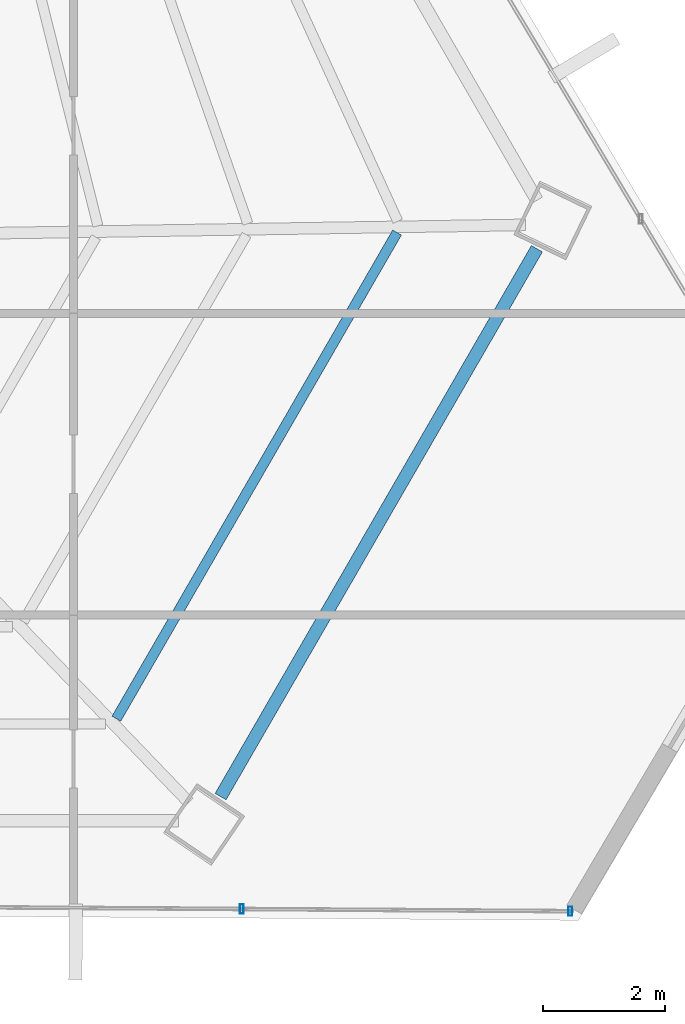
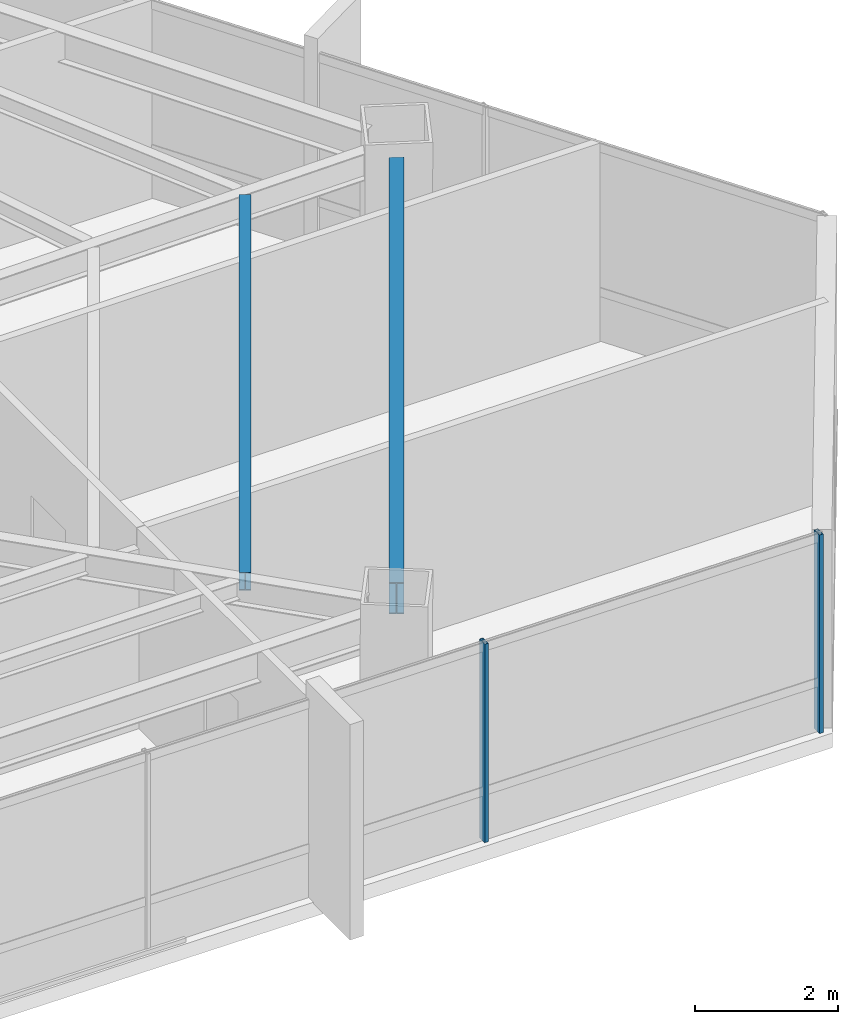
# One storey, part 18 of 40: 2 beams, 2 members, 1 element without a shape of its own.
"""IFC4 building model written with IfcOpenShell, lengths in metres."""

from ifc_helpers import new_model, si_unit, direction, frame, origin, origin_2d, place, context, subcontext, project, spatial, hollow_rectangle, i_section, extrude, source, transform, mapped, material, material_profile, profile_set, type_object, type_shapes, element, aggregate, save


model = new_model("IFC4")

# Units and contexts
model_context = context("Model", 3, precision=1e-05, world=origin(), true_north=direction((0.0, 1.0)))
body_context = subcontext(model_context, "Body", "Model", "MODEL_VIEW")
ifc_project = project(units=[si_unit("LENGTHUNIT", "METRE"), si_unit("AREAUNIT", "SQUARE_METRE"), si_unit("VOLUMEUNIT", "CUBIC_METRE"), si_unit("PLANEANGLEUNIT", "RADIAN"), si_unit("MASSUNIT", "GRAM", prefix="KILO")], contexts=[model_context])

# Site, building, storey
site_placement = place(None, origin())
site = spatial("IfcSite", under=ifc_project, at=site_placement, CompositionType="ELEMENT")
building_placement = place(site_placement, origin())
building = spatial("IfcBuilding", under=site, at=building_placement, Name="Caelisora Broadcast Tower", CompositionType="ELEMENT")
storey_placement = place(building_placement, frame((0.0, 0.0, 176.75)))
storey = spatial("IfcBuildingStorey", under=building, at=storey_placement, Name="L46", CompositionType="ELEMENT", Elevation=176.75)

# Beams
ifc_material_1 = material(Name="Steel Grade 350 (AS/NZS 3679.1)", Category="steel")
ifc_material_profile_1 = material_profile(ifc_material_1, i_section(OverallWidth=0.208984375, OverallDepth=0.532958984375, WebThickness=0.01025390625, FlangeThickness=0.015625, at=origin_2d()), Name="Steel Grade 350 (AS/NZS 3679.1)")
ifc_profile_set_1 = profile_set([ifc_material_profile_1], Name="Steel Grade 350 (AS/NZS 3679.1)")
beam_type_1 = type_object("IfcBeamType", Name="PG05", PredefinedType="BEAM", material=ifc_profile_set_1)
shared_shape_1 = source(origin(), body_context, "Body", "SweptSolid", [
    extrude(i_section(OverallWidth=0.208984375, OverallDepth=0.532958984375, WebThickness=0.01025390625, FlangeThickness=0.015625, at=origin_2d()), origin(), (0.0, 0.0, 1.0), 10.402587890625),
])
type_shapes(beam_type_1, [shared_shape_1])
beam_1_placement = place(storey_placement, frame((54.92041015625, 8.22509765625, 3.133544921875), z_axis=(0.499985878277, 0.866033556811, 0.0), x_axis=(-0.866033556811, 0.499985878277, 0.0)))
element("IfcBeam", 1, at=beam_1_placement, inside=storey, type_object=beam_type_1, Name="L46 beam PG05", PredefinedType="BEAM", context=body_context, shape_type="MappedRepresentation", body=[
    mapped(shared_shape_1, transform((0.0, 0.0, 0.0), scale=1.0)),
])
ifc_material_profile_2 = material_profile(ifc_material_1, i_section(OverallWidth=0.166015625, OverallDepth=0.30712890625, WebThickness=0.006591796875, FlangeThickness=0.01171875, at=origin_2d()), Name="Steel Grade 350 (AS/NZS 3679.1)")
ifc_profile_set_2 = profile_set([ifc_material_profile_2], Name="Steel Grade 350 (AS/NZS 3679.1)")
beam_type_2 = type_object("IfcBeamType", Name="SB03", PredefinedType="JOIST", material=ifc_profile_set_2)
shared_shape_2 = source(origin(), body_context, "Body", "SweptSolid", [
    extrude(i_section(OverallWidth=0.166015625, OverallDepth=0.30712890625, WebThickness=0.006591796875, FlangeThickness=0.01171875, at=origin_2d()), origin(), (0.0, 0.0, 1.0), 9.231201171875),
])
type_shapes(beam_type_2, [shared_shape_2])
beam_2_placement = place(storey_placement, frame((53.206787109375, 9.505615234375, 3.246337890625), z_axis=(0.499993363642, 0.866029235253, 0.0), x_axis=(-0.866029235253, 0.499993363642, 0.0)))
element("IfcBeam", 2, at=beam_2_placement, inside=storey, type_object=beam_type_2, Name="L46 beam SB03", PredefinedType="JOIST", context=body_context, shape_type="MappedRepresentation", body=[
    mapped(shared_shape_2, transform((0.0, 0.0, 0.0), scale=1.0)),
])

# Curtain wall, members
ifc_material_2 = material(Name="Unitised Aluminium and Low-E Glass Curtain Wall", Category="glass")
curtain_wall_type = type_object("IfcCurtainWallType", Name="CW-Z3", PredefinedType="NOTDEFINED", material=ifc_material_2)
curtain_wall_placement = place(storey_placement, origin())
curtain_wall = element("IfcCurtainWall", 3, at=curtain_wall_placement, inside=storey, type_object=curtain_wall_type, Name="L46 curtain wall CW-Z3", PredefinedType="NOTDEFINED")
ifc_material_3 = material(Name="Aluminium 6063-T6 Anodised Terracotta Bronze", Category="aluminium")
ifc_material_profile_3 = material_profile(ifc_material_3, hollow_rectangle(XDim=0.06005859375, YDim=0.14990234375, WallThickness=0.00341796875, at=origin_2d()), Name="Aluminium 6063-T6 Anodised Terracotta Bronze")
ifc_profile_set_3 = profile_set([ifc_material_profile_3], Name="Aluminium 6063-T6 Anodised Terracotta Bronze")
member_type = type_object("IfcMemberType", Name="CWM-03", PredefinedType="MULLION", material=ifc_profile_set_3)
shared_shape_3 = source(origin(), body_context, "Body", "SweptSolid", [
    extrude(hollow_rectangle(XDim=0.06005859375, YDim=0.14990234375, WallThickness=0.00341796875, at=origin_2d()), origin(), (0.0, 0.0, 1.0), 3.39990234375),
])
type_shapes(member_type, [shared_shape_3])
member_1_placement = place(storey_placement, frame((60.6689453125, 6.34130859375, 0.0), z_axis=(0.0, 0.0, 1.0), x_axis=(1.0, 0.0, 0.0)))
member_1 = element("IfcMember", 4, at=member_1_placement, type_object=member_type, Name="L46-CW-B05 mullion #0", PredefinedType="MULLION", context=body_context, shape_type="MappedRepresentation", body=[
    mapped(shared_shape_3, transform((0.0, 0.0, 0.0), scale=1.0)),
])
member_2_placement = place(storey_placement, frame((55.268798828125, 6.377197265625, 0.0), z_axis=(0.0, 0.0, 1.0), x_axis=(1.0, 0.0, 0.0)))
member_2 = element("IfcMember", 5, at=member_2_placement, type_object=member_type, Name="L46-CW-B05 mullion #1", PredefinedType="MULLION", context=body_context, shape_type="MappedRepresentation", body=[
    mapped(shared_shape_3, transform((0.0, 0.0, 0.0), scale=1.0)),
])
aggregate(curtain_wall, [member_1, member_2])

save(model, "model.ifc")
